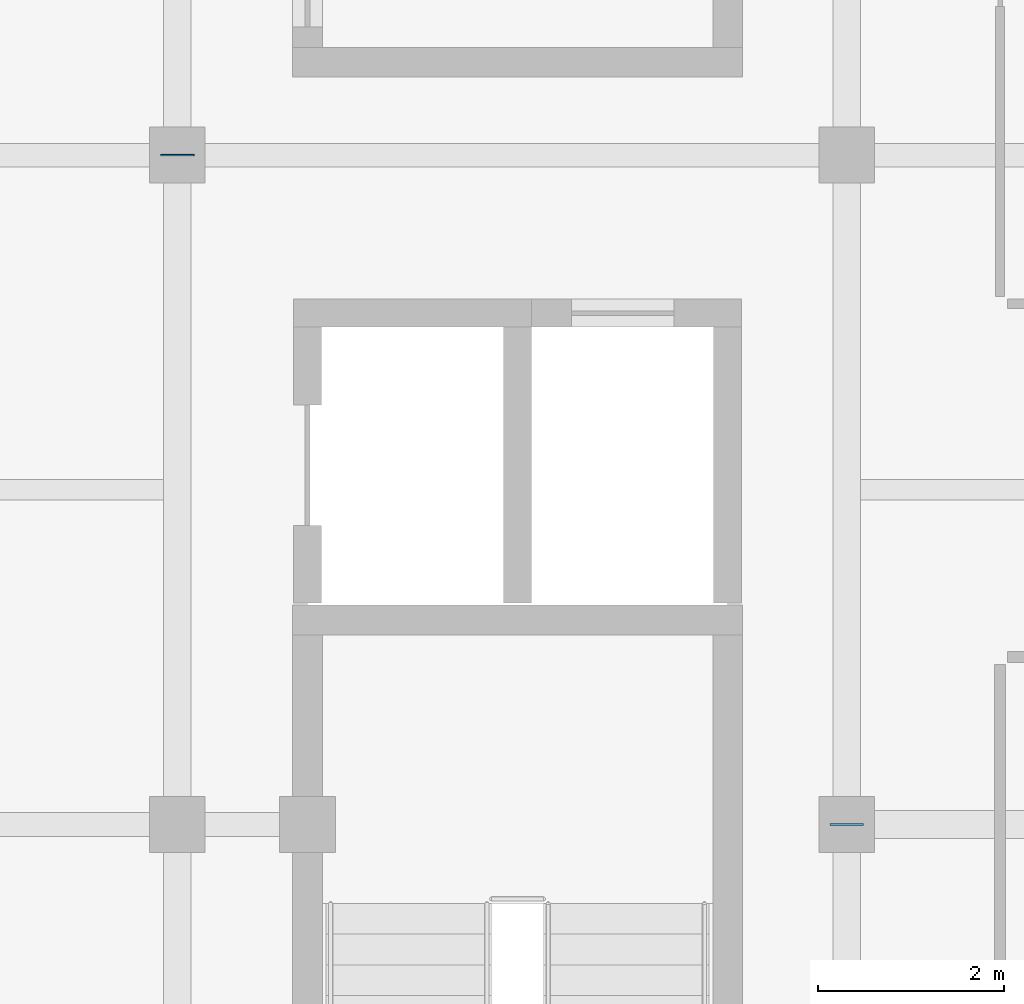
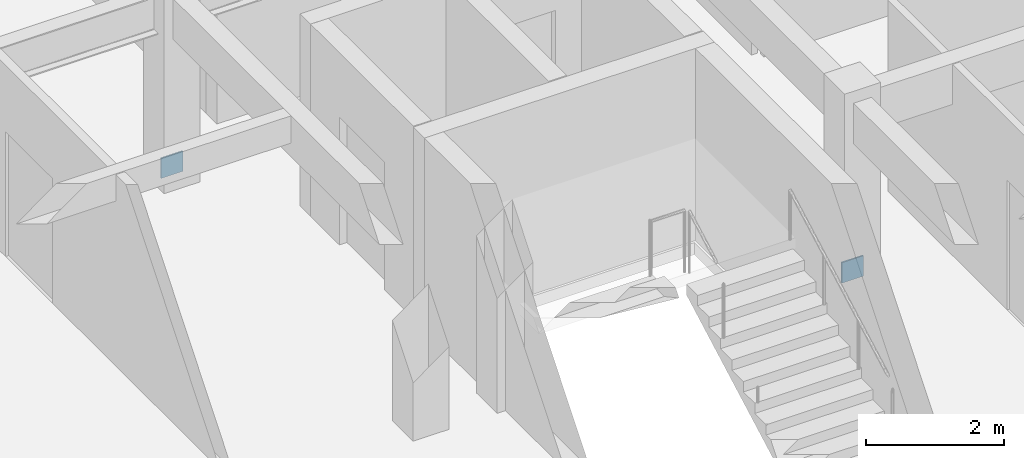
# One storey, part 38 of 74: 2 plates.
"""IFC4 building model written with IfcOpenShell, lengths in metres."""

from ifc_helpers import new_model, si_unit, direction, frame, origin, place, context, subcontext, project, spatial, polyline, outline, extrude, material, layer, layer_set, type_object, element, save


model = new_model("IFC4")

# Units and contexts
model_context = context("Model", 3, precision=1e-05, world=origin(), true_north=direction((0.0, 1.0)))
body_context = subcontext(model_context, "Body", "Model", "MODEL_VIEW")
ifc_project = project(units=[si_unit("LENGTHUNIT", "METRE"), si_unit("AREAUNIT", "SQUARE_METRE"), si_unit("VOLUMEUNIT", "CUBIC_METRE"), si_unit("PLANEANGLEUNIT", "RADIAN"), si_unit("MASSUNIT", "GRAM", prefix="KILO")], contexts=[model_context])

# Site, building, storey
site_placement = place(None, origin())
site = spatial("IfcSite", under=ifc_project, at=site_placement, CompositionType="ELEMENT")
building_placement = place(site_placement, origin())
building = spatial("IfcBuilding", under=site, at=building_placement, Name="Alvorim Cloister Faculty of Sciences", CompositionType="ELEMENT")
storey_placement = place(building_placement, frame((0.0, 0.0, 15.75)))
storey = spatial("IfcBuildingStorey", under=building, at=storey_placement, Name="L04", CompositionType="ELEMENT", Elevation=15.75)

# Plates
ifc_material = material(Name="Steel ASTM A572 Grade 50", Category="steel")
ifc_layer_1 = layer(ifc_material, 0.02490234375)
ifc_layer_set_1 = layer_set([ifc_layer_1], Name="Steel ASTM A572 Grade 50")
plate_type_1 = type_object("IfcPlateType", Name="PL-KNIFE-25", PredefinedType="SHEET", material=ifc_layer_set_1)
plate_1_placement = place(storey_placement, frame((21.419921875, 21.60009765625, 0.050048828125), z_axis=(0.0, 0.0, 1.0), x_axis=(1.0, 0.0, 0.0)))
element("IfcPlate", 1, at=plate_1_placement, inside=storey, type_object=plate_type_1, Name="Glulam-Steel Knife Connection Plate 6", PredefinedType="SHEET", context=body_context, shape_type="SweptSolid", body=[
    extrude(outline(polyline([(0.0, 0.0), (0.360107421875, 0.0), (0.360107421875, 0.35986328125), (0.0, 0.35986328125), (0.0, 0.0)])), frame((0.0, 0.012451171875, 0.0), z_axis=(0.0, -1.0, 0.0), x_axis=(1.0, 0.0, 0.0)), (0.0, 0.0, 1.0), 0.02490234375),
])
ifc_layer_2 = layer(ifc_material, 0.01806640625)
ifc_layer_set_2 = layer_set([ifc_layer_2], Name="Steel ASTM A572 Grade 50")
plate_type_2 = type_object("IfcPlateType", Name="PL-SPLICE-18", PredefinedType="SHEET", material=ifc_layer_set_2)
plate_2_placement = place(storey_placement, frame((14.219970703125, 28.800048828125, 0.050048828125), z_axis=(0.0, 0.0, 1.0), x_axis=(1.0, 0.0, 0.0)))
element("IfcPlate", 2, at=plate_2_placement, inside=storey, type_object=plate_type_2, Name="Glulam-Steel Knife Connection Plate 5", PredefinedType="SHEET", context=body_context, shape_type="SweptSolid", body=[
    extrude(outline(polyline([(0.0, 0.0), (0.360107421875, 0.0), (0.360107421875, 0.35986328125), (0.0, 0.35986328125), (0.0, 0.0)])), frame((0.0, 0.009033203125, 0.0), z_axis=(0.0, -1.0, 0.0), x_axis=(1.0, 0.0, 0.0)), (0.0, 0.0, 1.0), 0.01806640625),
])

save(model, "model.ifc")
